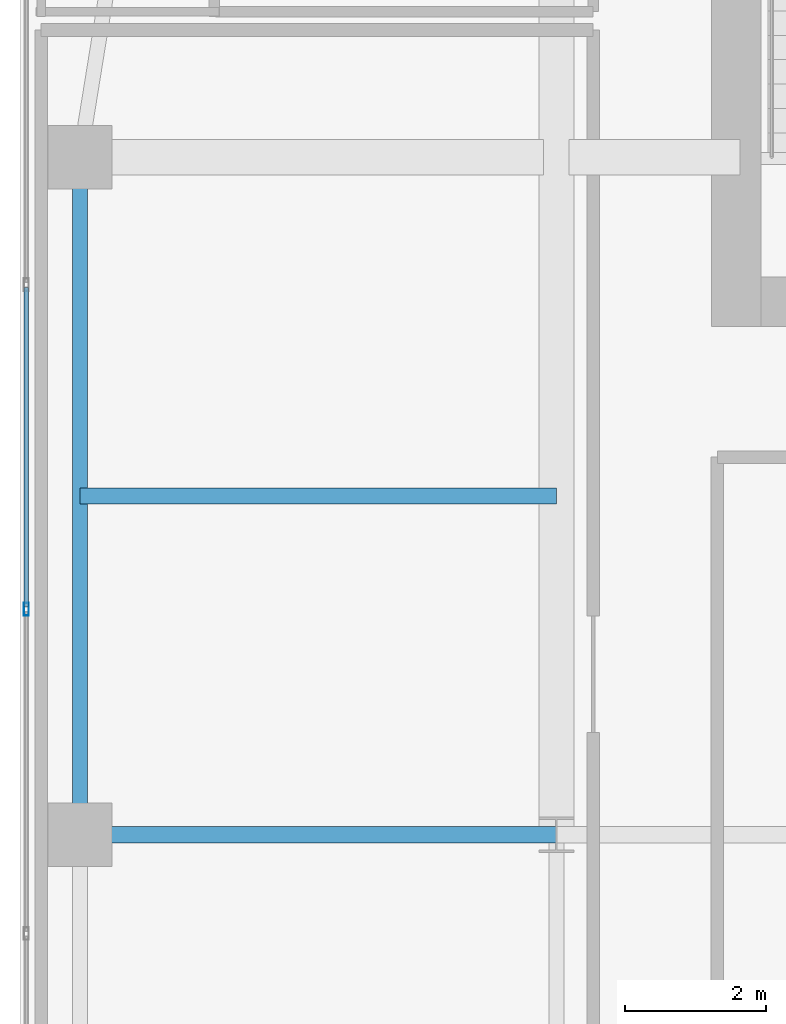
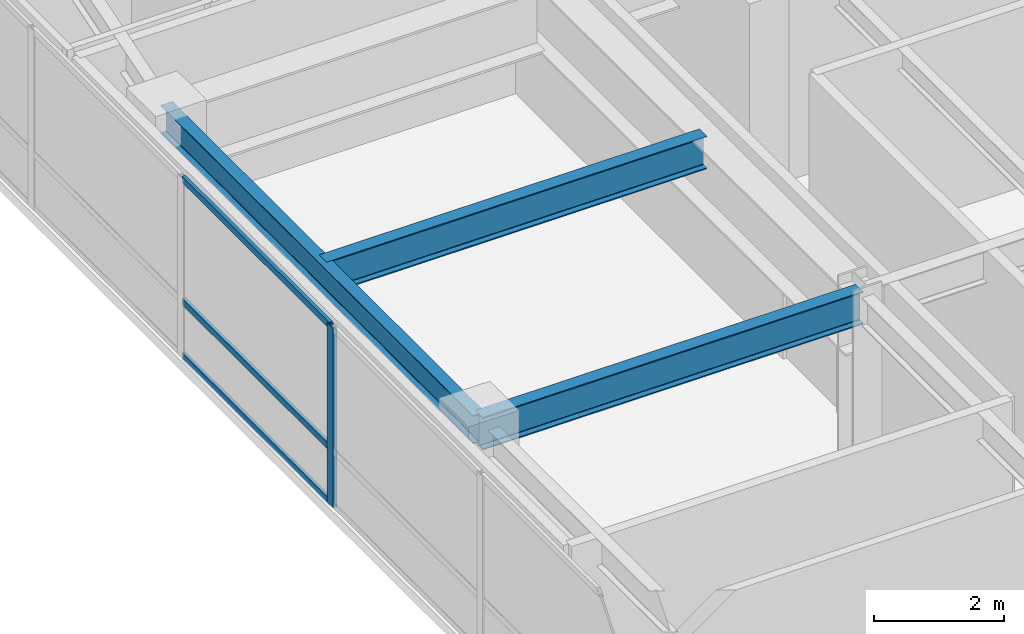
# One storey, part 11 of 30: 4 members, 3 beams, 1 element without a shape of its own.
"""IFC4 building model written with IfcOpenShell, lengths in metres."""

from ifc_helpers import new_model, si_unit, direction, frame, origin, origin_2d, place, context, subcontext, project, spatial, hollow_rectangle, i_section, extrude, source, transform, mapped, material, layer, layer_set, material_profile, profile_set, type_object, type_shapes, element, aggregate, save


model = new_model("IFC4")

# Units and contexts
model_context = context("Model", 3, precision=1e-05, world=origin(), true_north=direction((0.0, 1.0)))
body_context = subcontext(model_context, "Body", "Model", "MODEL_VIEW")
ifc_project = project(units=[si_unit("LENGTHUNIT", "METRE"), si_unit("AREAUNIT", "SQUARE_METRE"), si_unit("VOLUMEUNIT", "CUBIC_METRE"), si_unit("PLANEANGLEUNIT", "RADIAN"), si_unit("MASSUNIT", "GRAM", prefix="KILO")], contexts=[model_context])

# Site, building, storey
site_placement = place(None, origin())
site = spatial("IfcSite", under=ifc_project, at=site_placement, CompositionType="ELEMENT")
building_placement = place(site_placement, origin())
building = spatial("IfcBuilding", under=site, at=building_placement, Name="Tolvann Quenvar Hotel", CompositionType="ELEMENT")
storey_placement = place(building_placement, frame((0.0, 0.0, 100.89990234375)))
storey = spatial("IfcBuildingStorey", under=building, at=storey_placement, Name="L25", CompositionType="ELEMENT", Elevation=100.89990234375)

# Beams
ifc_material_1 = material(Name="Steel Grade 350", Category="steel")
ifc_material_profile_1 = material_profile(ifc_material_1, i_section(OverallWidth=0.22900390625, OverallDepth=0.612060546875, WebThickness=0.011962890625, FlangeThickness=0.01953125, FilletRadius=0.013916015625, at=origin_2d()), Name="610UB125")
ifc_profile_set_1 = profile_set([ifc_material_profile_1], Name="Steel Grade 350")
beam_type_1 = type_object("IfcBeamType", Name="BM_GIRD_610UB125", PredefinedType="BEAM", material=ifc_profile_set_1)
shared_shape_1 = source(origin(), body_context, "Body", "SweptSolid", [
    extrude(i_section(OverallWidth=0.22900390625, OverallDepth=0.612060546875, WebThickness=0.011962890625, FlangeThickness=0.01953125, FilletRadius=0.013916015625, at=origin_2d()), origin(), (0.0, 0.0, 1.0), 6.75),
])
type_shapes(beam_type_1, [shared_shape_1])
for number, where, z_axis, x_axis, name in (
    (1, (0.85009765625, 24.39990234375, 3.064208984375), (1.0, 0.0, 0.0), (0.0, 1.0, 0.0), "BM-L25-EW-5-B5-C5"),
    (2, (0.85009765625, 29.199951171875, 3.064208984375), (1.0, 0.0, 0.0), (0.0, 1.0, 0.0), "BM-L25-EW-BC29"),
):
    element("IfcBeam", number, at=place(storey_placement, frame(where, z_axis=z_axis, x_axis=x_axis)), inside=storey, type_object=beam_type_1, Name=name, PredefinedType="BEAM", context=body_context, shape_type="MappedRepresentation", body=[
        mapped(shared_shape_1, transform((0.0, 0.0, 0.0), x_axis=(1.0, 0.0, 0.0), y_axis=(0.0, 1.0, 0.0), z_axis=(0.0, 0.0, 1.0), scale=1.0)),
    ])
ifc_material_profile_2 = material_profile(ifc_material_1, i_section(OverallWidth=0.208984375, OverallDepth=0.528076171875, WebThickness=0.009521484375, FlangeThickness=0.01318359375, FilletRadius=0.013916015625, at=origin_2d()), Name="530UB82")
ifc_profile_set_2 = profile_set([ifc_material_profile_2], Name="Steel Grade 350")
beam_type_2 = type_object("IfcBeamType", Name="BM_SPAND_530UB82", PredefinedType="SPANDREL", material=ifc_profile_set_2)
shared_shape_2 = source(origin(), body_context, "Body", "SweptSolid", [
    extrude(i_section(OverallWidth=0.208984375, OverallDepth=0.528076171875, WebThickness=0.009521484375, FlangeThickness=0.01318359375, FilletRadius=0.013916015625, at=origin_2d()), origin(), (0.0, 0.0, 1.0), 9.60009765625),
])
type_shapes(beam_type_2, [shared_shape_2])
beam_placement = place(storey_placement, frame((0.85009765625, 24.39990234375, 3.106201171875), z_axis=(0.0, 1.0, 0.0), x_axis=(-1.0, 0.0, 0.0)))
element("IfcBeam", 3, at=beam_placement, inside=storey, type_object=beam_type_2, Name="BM-L25-FLK-W1", PredefinedType="SPANDREL", context=body_context, shape_type="MappedRepresentation", body=[
    mapped(shared_shape_2, transform((0.0, 0.0, 0.0), x_axis=(1.0, 0.0, 0.0), y_axis=(0.0, 1.0, 0.0), z_axis=(0.0, 0.0, 1.0), scale=1.0)),
])

# Curtain wall, members
ifc_material_2 = material(Name="Thermally broken anodised architectural aluminium 6063-T6 and laminated low-E glass", Category="aluminium")
ifc_layer = layer(ifc_material_2, 0.179931640625)
ifc_layer_set = layer_set([ifc_layer], Name="Thermally broken anodised architectural aluminium 6063-T6 and laminated low-E glass")
curtain_wall_type = type_object("IfcCurtainWallType", Name="CW_SYS_BAND_04", PredefinedType="USERDEFINED", material=ifc_layer_set)
curtain_wall_placement = place(storey_placement, origin())
curtain_wall = element("IfcCurtainWall", 4, at=curtain_wall_placement, inside=storey, type_object=curtain_wall_type, Name="Curtain Wall CW-BAND-04 (CWR-L25-E23)", ObjectType="UNITISED CURTAIN WALL", PredefinedType="USERDEFINED")
ifc_material_3 = material(Name="Anodised architectural aluminium 6063-T6 framing", Category="aluminium")
ifc_material_profile_3 = material_profile(ifc_material_3, hollow_rectangle(XDim=0.070068359375, YDim=0.179931640625, WallThickness=0.00390625, at=origin_2d()), Name="180x70x4RHS")
ifc_profile_set_3 = profile_set([ifc_material_profile_3], Name="Anodised architectural aluminium 6063-T6 framing")
member_type_1 = type_object("IfcMemberType", Name="CW_MULL_180x70", PredefinedType="MULLION", material=ifc_profile_set_3)
shared_shape_3 = source(origin(), body_context, "Body", "SweptSolid", [
    extrude(hollow_rectangle(XDim=0.070068359375, YDim=0.179931640625, WallThickness=0.00390625, at=origin_2d()), origin(), (0.0, 0.0, 1.0), 3.3701171875),
])
type_shapes(member_type_1, [shared_shape_3])
member_1_placement = place(storey_placement, frame((0.090087890625, 27.595703125, 0.0), z_axis=(0.0, 0.0, 1.0), x_axis=(1.0, 0.0, 0.0)))
member_1 = element("IfcMember", 5, at=member_1_placement, type_object=member_type_1, Name="CW-BAND-04 mullion 4", PredefinedType="MULLION", context=body_context, shape_type="MappedRepresentation", body=[
    mapped(shared_shape_3, transform((0.0, 0.0, 0.0), x_axis=(1.0, 0.0, 0.0), y_axis=(0.0, 1.0, 0.0), z_axis=(0.0, 0.0, 1.0), scale=1.0)),
])
ifc_material_profile_4 = material_profile(ifc_material_3, hollow_rectangle(XDim=0.06005859375, YDim=0.1201171875, WallThickness=0.00341796875, at=origin_2d()), Name="120x60x3.5RHS")
ifc_profile_set_4 = profile_set([ifc_material_profile_4], Name="Anodised architectural aluminium 6063-T6 framing")
member_type_2 = type_object("IfcMemberType", Name="CW_TRAN_120x60", PredefinedType="USERDEFINED", material=ifc_profile_set_4)
shared_shape_4 = source(origin(), body_context, "Body", "SweptSolid", [
    extrude(hollow_rectangle(XDim=0.06005859375, YDim=0.1201171875, WallThickness=0.00341796875, at=origin_2d()), origin(), (0.0, 0.0, 1.0), 4.52587890625),
])
type_shapes(member_type_2, [shared_shape_4])
member_2_placement = place(storey_placement, frame((0.090087890625, 32.156494140625, 0.030029296875), z_axis=(0.0, -1.0, 0.0), x_axis=(1.0, 0.0, 0.0)))
member_2 = element("IfcMember", 6, at=member_2_placement, type_object=member_type_2, Name="CW-BAND-04 transom 3.1", ObjectType="TRANSOM", PredefinedType="USERDEFINED", context=body_context, shape_type="MappedRepresentation", body=[
    mapped(shared_shape_4, transform((0.0, 0.0, 0.0), x_axis=(1.0, 0.0, 0.0), y_axis=(0.0, 1.0, 0.0), z_axis=(0.0, 0.0, 1.0), scale=1.0)),
])
member_3_placement = place(storey_placement, frame((0.090087890625, 32.156494140625, 1.050048828125), z_axis=(0.0, -1.0, 0.0), x_axis=(1.0, 0.0, 0.0)))
member_3 = element("IfcMember", 7, at=member_3_placement, type_object=member_type_2, Name="CW-BAND-04 transom 3.2", ObjectType="TRANSOM", PredefinedType="USERDEFINED", context=body_context, shape_type="MappedRepresentation", body=[
    mapped(shared_shape_4, transform((0.0, 0.0, 0.0), x_axis=(1.0, 0.0, 0.0), y_axis=(0.0, 1.0, 0.0), z_axis=(0.0, 0.0, 1.0), scale=1.0)),
])
member_4_placement = place(storey_placement, frame((0.090087890625, 32.156494140625, 3.340087890625), z_axis=(0.0, -1.0, 0.0), x_axis=(1.0, 0.0, 0.0)))
member_4 = element("IfcMember", 8, at=member_4_placement, type_object=member_type_2, Name="CW-BAND-04 transom 3.3", ObjectType="TRANSOM", PredefinedType="USERDEFINED", context=body_context, shape_type="MappedRepresentation", body=[
    mapped(shared_shape_4, transform((0.0, 0.0, 0.0), x_axis=(1.0, 0.0, 0.0), y_axis=(0.0, 1.0, 0.0), z_axis=(0.0, 0.0, 1.0), scale=1.0)),
])
aggregate(curtain_wall, [member_1, member_2, member_3, member_4])

save(model, "model.ifc")
